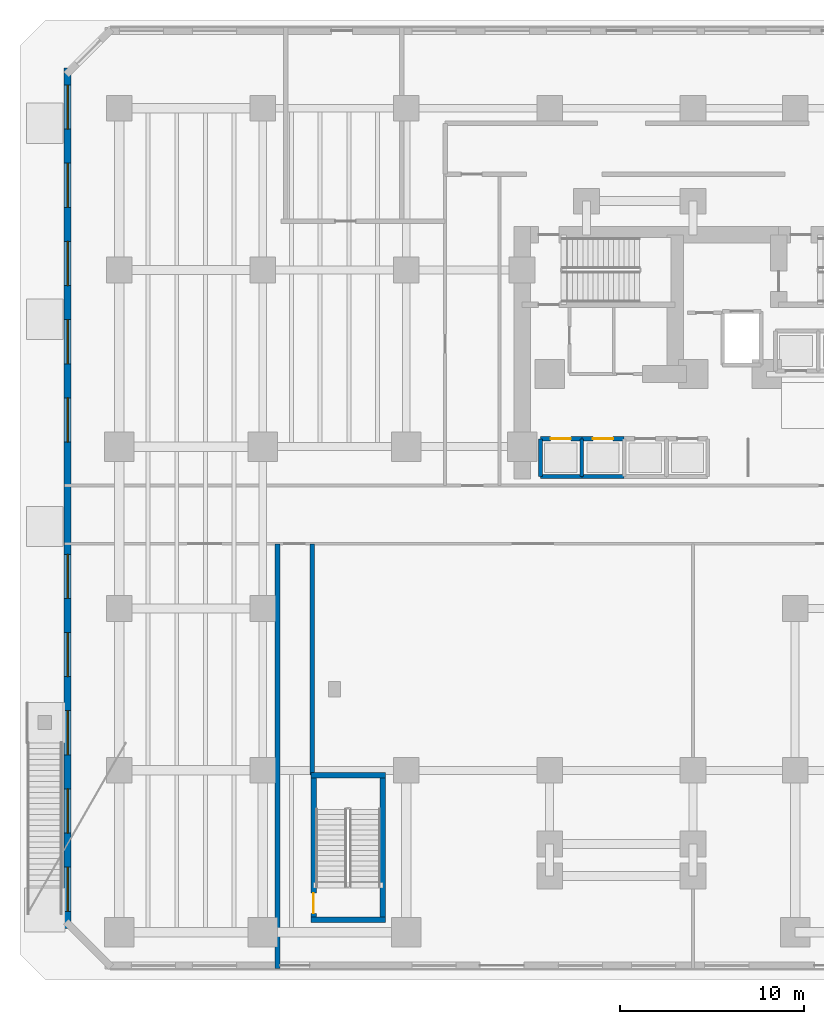
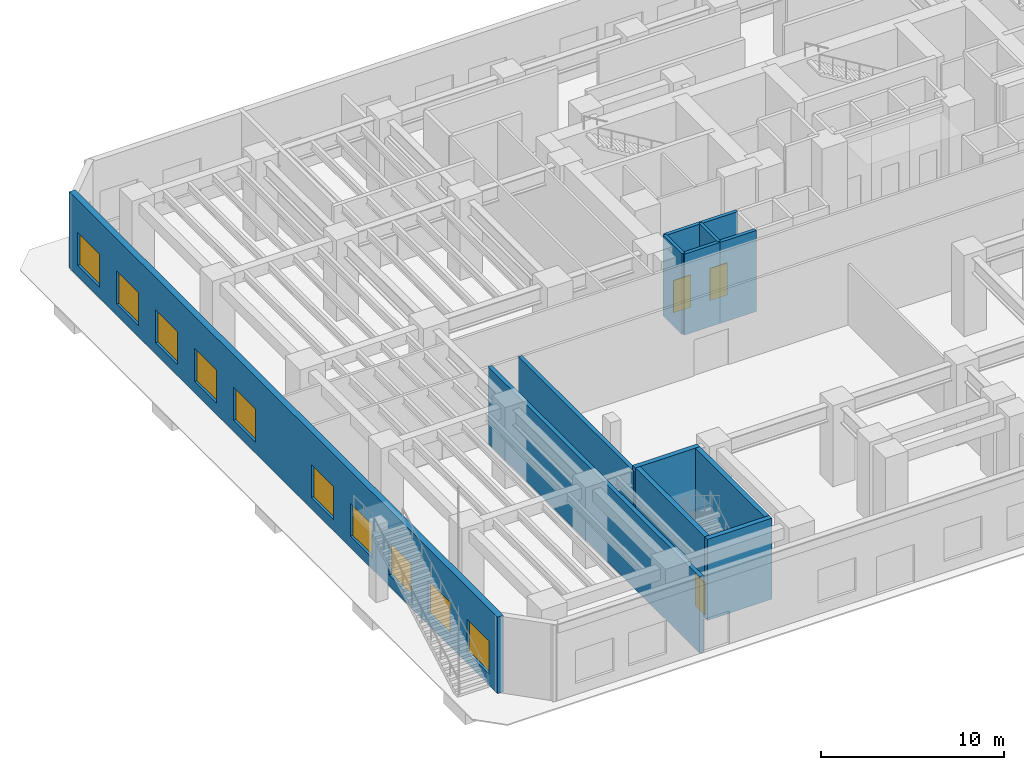
# One storey, part 4 of 17: 13 walls, 10 windows, 3 doors, 13 openings.
"""IFC4 building model written with IfcOpenShell, lengths in metres."""

from ifc_helpers import new_model, si_unit, direction, frame, frame_2d, origin, place, context, subcontext, project, spatial, rectangle, extrude, material, layer, layer_set, type_object, element, fill, save


model = new_model("IFC4")

# Units and contexts
model_context = context("Model", 3, precision=1e-05, world=origin(), true_north=direction((0.0, 1.0)))
body_context = subcontext(model_context, "Body", "Model", "MODEL_VIEW")
ifc_project = project(units=[si_unit("LENGTHUNIT", "METRE"), si_unit("AREAUNIT", "SQUARE_METRE"), si_unit("VOLUMEUNIT", "CUBIC_METRE"), si_unit("PLANEANGLEUNIT", "RADIAN"), si_unit("MASSUNIT", "GRAM", prefix="KILO")], contexts=[model_context])

# Site, building, storey
site_placement = place(None, origin())
site = spatial("IfcSite", under=ifc_project, at=site_placement, CompositionType="ELEMENT")
building_placement = place(site_placement, origin())
building = spatial("IfcBuilding", under=site, at=building_placement, Name="Kestravale Grand Hotel", CompositionType="ELEMENT")
storey_placement = place(building_placement, origin())
storey = spatial("IfcBuildingStorey", under=building, at=storey_placement, Name="L00", CompositionType="ELEMENT", Elevation=0.0)

# Wall, openings, windows
ifc_material_1 = material(Name="Precast concrete f'c 45 MPa", Category="concrete")
ifc_layer_1 = layer(ifc_material_1, 0.3798828125)
ifc_layer_set_1 = layer_set([ifc_layer_1], Name="EW-POD-380")
wall_type_1 = type_object("IfcWallType", Name="EW-POD-380", PredefinedType="SOLIDWALL", material=ifc_layer_set_1)
wall_1_placement = place(storey_placement, frame((-2.81005859375, 2.610107421875, 0.0), z_axis=(0.0, 0.0, 1.0), x_axis=(0.0, 1.0, 0.0)))
wall_1 = element("IfcWall", 1, at=wall_1_placement, inside=storey, type_object=wall_type_1, Name="L00 fluted precast facade wall 7", PredefinedType="SOLIDWALL", context=body_context, shape_type="SweptSolid", body=[
    extrude(rectangle(XDim=46.77978515625, YDim=0.3798828125, at=frame_2d((23.389892578125, 0.0))), origin(), (0.0, 0.0, 1.0), 5.10009765625),
])
opening_1_placement = place(wall_1_placement, frame((0.926513671875, 0.0, 0.75)))
opening_1 = element("IfcOpeningElement", 2, at=opening_1_placement, cuts=wall_1, Name="Opening W-POD-2400", PredefinedType="OPENING", context=body_context, shape_type="SweptSolid", body=[
    extrude(rectangle(XDim=2.39990234375, YDim=2.199951171875, at=frame_2d((1.199951171875, 1.10009765625))), frame((0.0, 0.199951171875, 0.0), z_axis=(0.0, -1.0, 0.0), x_axis=(1.0, 0.0, 0.0)), (0.0, 0.0, 1.0), 0.39990234375),
])
opening_2_placement = place(wall_1_placement, frame((5.17919921875, 0.0, 0.75)))
opening_2 = element("IfcOpeningElement", 3, at=opening_2_placement, cuts=wall_1, Name="Opening W-POD-2400", PredefinedType="OPENING", context=body_context, shape_type="SweptSolid", body=[
    extrude(rectangle(XDim=2.39990234375, YDim=2.199951171875, at=frame_2d((1.199951171875, 1.10009765625))), frame((0.0, 0.199951171875, 0.0), z_axis=(0.0, -1.0, 0.0), x_axis=(1.0, 0.0, 0.0)), (0.0, 0.0, 1.0), 0.39990234375),
])
opening_3_placement = place(wall_1_placement, frame((9.431884765625, 0.0, 0.75)))
opening_3 = element("IfcOpeningElement", 4, at=opening_3_placement, cuts=wall_1, Name="Opening W-POD-2400", PredefinedType="OPENING", context=body_context, shape_type="SweptSolid", body=[
    extrude(rectangle(XDim=2.39990234375, YDim=2.199951171875, at=frame_2d((1.199951171875, 1.10009765625))), frame((0.0, 0.199951171875, 0.0), z_axis=(0.0, -1.0, 0.0), x_axis=(1.0, 0.0, 0.0)), (0.0, 0.0, 1.0), 0.39990234375),
])
opening_4_placement = place(wall_1_placement, frame((13.6845703125, 0.0, 0.75)))
opening_4 = element("IfcOpeningElement", 5, at=opening_4_placement, cuts=wall_1, Name="Opening W-POD-2400", PredefinedType="OPENING", context=body_context, shape_type="SweptSolid", body=[
    extrude(rectangle(XDim=2.39990234375, YDim=2.199951171875, at=frame_2d((1.199951171875, 1.10009765625))), frame((0.0, 0.199951171875, 0.0), z_axis=(0.0, -1.0, 0.0), x_axis=(1.0, 0.0, 0.0)), (0.0, 0.0, 1.0), 0.39990234375),
])
opening_5_placement = place(wall_1_placement, frame((17.937255859375, 0.0, 0.75)))
opening_5 = element("IfcOpeningElement", 6, at=opening_5_placement, cuts=wall_1, Name="Opening W-POD-2400", PredefinedType="OPENING", context=body_context, shape_type="SweptSolid", body=[
    extrude(rectangle(XDim=2.39990234375, YDim=2.199951171875, at=frame_2d((1.199951171875, 1.10009765625))), frame((0.0, 0.199951171875, 0.0), z_axis=(0.0, -1.0, 0.0), x_axis=(1.0, 0.0, 0.0)), (0.0, 0.0, 1.0), 0.39990234375),
])
opening_6_placement = place(wall_1_placement, frame((26.442626953125, 0.0, 0.75)))
opening_6 = element("IfcOpeningElement", 7, at=opening_6_placement, cuts=wall_1, Name="Opening W-POD-2400", PredefinedType="OPENING", context=body_context, shape_type="SweptSolid", body=[
    extrude(rectangle(XDim=2.39990234375, YDim=2.199951171875, at=frame_2d((1.199951171875, 1.10009765625))), frame((0.0, 0.199951171875, 0.0), z_axis=(0.0, -1.0, 0.0), x_axis=(1.0, 0.0, 0.0)), (0.0, 0.0, 1.0), 0.39990234375),
])
opening_7_placement = place(wall_1_placement, frame((30.695556640625, 0.0, 0.75)))
opening_7 = element("IfcOpeningElement", 8, at=opening_7_placement, cuts=wall_1, Name="Opening W-POD-2400", PredefinedType="OPENING", context=body_context, shape_type="SweptSolid", body=[
    extrude(rectangle(XDim=2.39990234375, YDim=2.199951171875, at=frame_2d((1.199951171875, 1.10009765625))), frame((0.0, 0.199951171875, 0.0), z_axis=(0.0, -1.0, 0.0), x_axis=(1.0, 0.0, 0.0)), (0.0, 0.0, 1.0), 0.39990234375),
])
opening_8_placement = place(wall_1_placement, frame((34.9482421875, 0.0, 0.75)))
opening_8 = element("IfcOpeningElement", 9, at=opening_8_placement, cuts=wall_1, Name="Opening W-POD-2400", PredefinedType="OPENING", context=body_context, shape_type="SweptSolid", body=[
    extrude(rectangle(XDim=2.39990234375, YDim=2.199951171875, at=frame_2d((1.199951171875, 1.10009765625))), frame((0.0, 0.199951171875, 0.0), z_axis=(0.0, -1.0, 0.0), x_axis=(1.0, 0.0, 0.0)), (0.0, 0.0, 1.0), 0.39990234375),
])
opening_9_placement = place(wall_1_placement, frame((39.200927734375, 0.0, 0.75)))
opening_9 = element("IfcOpeningElement", 10, at=opening_9_placement, cuts=wall_1, Name="Opening W-POD-2400", PredefinedType="OPENING", context=body_context, shape_type="SweptSolid", body=[
    extrude(rectangle(XDim=2.39990234375, YDim=2.199951171875, at=frame_2d((1.199951171875, 1.10009765625))), frame((0.0, 0.199951171875, 0.0), z_axis=(0.0, -1.0, 0.0), x_axis=(1.0, 0.0, 0.0)), (0.0, 0.0, 1.0), 0.39990234375),
])
opening_10_placement = place(wall_1_placement, frame((43.45361328125, 0.0, 0.75)))
opening_10 = element("IfcOpeningElement", 11, at=opening_10_placement, cuts=wall_1, Name="Opening W-POD-2400", PredefinedType="OPENING", context=body_context, shape_type="SweptSolid", body=[
    extrude(rectangle(XDim=2.39990234375, YDim=2.199951171875, at=frame_2d((1.199951171875, 1.10009765625))), frame((0.0, 0.199951171875, 0.0), z_axis=(0.0, -1.0, 0.0), x_axis=(1.0, 0.0, 0.0)), (0.0, 0.0, 1.0), 0.39990234375),
])
ifc_material_2 = material(Name="Insulated low-E double glazing in aluminium frame", Category="aluminium")
window_type = type_object("IfcWindowType", Name="W-POD-2400", PartitioningType="DOUBLE_PANEL_VERTICAL", PredefinedType="WINDOW", material=ifc_material_2)
window_1_placement = place(opening_1_placement, origin())
window_1 = element("IfcWindow", 12, at=window_1_placement, inside=storey, type_object=window_type, Name="L00 exterior window 7.1", OverallHeight=2.199951171875, OverallWidth=2.39990234375, PartitioningType="SINGLE_PANEL", PredefinedType="WINDOW", context=body_context, shape_type="SweptSolid", body=[
    extrude(rectangle(XDim=2.39990234375, YDim=2.199951171875, at=frame_2d((1.199951171875, 1.10009765625))), frame((0.0, 0.030029296875, 0.0), z_axis=(0.0, -1.0, 0.0), x_axis=(1.0, 0.0, 0.0)), (0.0, 0.0, 1.0), 0.06005859375),
])
fill(opening_1, window_1)
window_2_placement = place(opening_2_placement, origin())
window_2 = element("IfcWindow", 13, at=window_2_placement, inside=storey, type_object=window_type, Name="L00 exterior window 7.2", OverallHeight=2.199951171875, OverallWidth=2.39990234375, PartitioningType="SINGLE_PANEL", PredefinedType="WINDOW", context=body_context, shape_type="SweptSolid", body=[
    extrude(rectangle(XDim=2.39990234375, YDim=2.199951171875, at=frame_2d((1.199951171875, 1.10009765625))), frame((0.0, 0.030029296875, 0.0), z_axis=(0.0, -1.0, 0.0), x_axis=(1.0, 0.0, 0.0)), (0.0, 0.0, 1.0), 0.06005859375),
])
fill(opening_2, window_2)
window_3_placement = place(opening_3_placement, origin())
window_3 = element("IfcWindow", 14, at=window_3_placement, inside=storey, type_object=window_type, Name="L00 exterior window 7.3", OverallHeight=2.199951171875, OverallWidth=2.39990234375, PartitioningType="SINGLE_PANEL", PredefinedType="WINDOW", context=body_context, shape_type="SweptSolid", body=[
    extrude(rectangle(XDim=2.39990234375, YDim=2.199951171875, at=frame_2d((1.199951171875, 1.10009765625))), frame((0.0, 0.030029296875, 0.0), z_axis=(0.0, -1.0, 0.0), x_axis=(1.0, 0.0, 0.0)), (0.0, 0.0, 1.0), 0.06005859375),
])
fill(opening_3, window_3)
window_4_placement = place(opening_4_placement, origin())
window_4 = element("IfcWindow", 15, at=window_4_placement, inside=storey, type_object=window_type, Name="L00 exterior window 7.4", OverallHeight=2.199951171875, OverallWidth=2.39990234375, PartitioningType="SINGLE_PANEL", PredefinedType="WINDOW", context=body_context, shape_type="SweptSolid", body=[
    extrude(rectangle(XDim=2.39990234375, YDim=2.199951171875, at=frame_2d((1.199951171875, 1.10009765625))), frame((0.0, 0.030029296875, 0.0), z_axis=(0.0, -1.0, 0.0), x_axis=(1.0, 0.0, 0.0)), (0.0, 0.0, 1.0), 0.06005859375),
])
fill(opening_4, window_4)
window_5_placement = place(opening_5_placement, origin())
window_5 = element("IfcWindow", 16, at=window_5_placement, inside=storey, type_object=window_type, Name="L00 exterior window 7.5", OverallHeight=2.199951171875, OverallWidth=2.39990234375, PartitioningType="SINGLE_PANEL", PredefinedType="WINDOW", context=body_context, shape_type="SweptSolid", body=[
    extrude(rectangle(XDim=2.39990234375, YDim=2.199951171875, at=frame_2d((1.199951171875, 1.10009765625))), frame((0.0, 0.030029296875, 0.0), z_axis=(0.0, -1.0, 0.0), x_axis=(1.0, 0.0, 0.0)), (0.0, 0.0, 1.0), 0.06005859375),
])
fill(opening_5, window_5)
window_6_placement = place(opening_6_placement, origin())
window_6 = element("IfcWindow", 17, at=window_6_placement, inside=storey, type_object=window_type, Name="L00 exterior window 7.6", OverallHeight=2.199951171875, OverallWidth=2.39990234375, PartitioningType="SINGLE_PANEL", PredefinedType="WINDOW", context=body_context, shape_type="SweptSolid", body=[
    extrude(rectangle(XDim=2.39990234375, YDim=2.199951171875, at=frame_2d((1.199951171875, 1.10009765625))), frame((0.0, 0.030029296875, 0.0), z_axis=(0.0, -1.0, 0.0), x_axis=(1.0, 0.0, 0.0)), (0.0, 0.0, 1.0), 0.06005859375),
])
fill(opening_6, window_6)
window_7_placement = place(opening_7_placement, origin())
window_7 = element("IfcWindow", 18, at=window_7_placement, inside=storey, type_object=window_type, Name="L00 exterior window 7.7", OverallHeight=2.199951171875, OverallWidth=2.39990234375, PartitioningType="SINGLE_PANEL", PredefinedType="WINDOW", context=body_context, shape_type="SweptSolid", body=[
    extrude(rectangle(XDim=2.39990234375, YDim=2.199951171875, at=frame_2d((1.199951171875, 1.10009765625))), frame((0.0, 0.030029296875, 0.0), z_axis=(0.0, -1.0, 0.0), x_axis=(1.0, 0.0, 0.0)), (0.0, 0.0, 1.0), 0.06005859375),
])
fill(opening_7, window_7)
window_8_placement = place(opening_8_placement, origin())
window_8 = element("IfcWindow", 19, at=window_8_placement, inside=storey, type_object=window_type, Name="L00 exterior window 7.8", OverallHeight=2.199951171875, OverallWidth=2.39990234375, PartitioningType="SINGLE_PANEL", PredefinedType="WINDOW", context=body_context, shape_type="SweptSolid", body=[
    extrude(rectangle(XDim=2.39990234375, YDim=2.199951171875, at=frame_2d((1.199951171875, 1.10009765625))), frame((0.0, 0.030029296875, 0.0), z_axis=(0.0, -1.0, 0.0), x_axis=(1.0, 0.0, 0.0)), (0.0, 0.0, 1.0), 0.06005859375),
])
fill(opening_8, window_8)
window_9_placement = place(opening_9_placement, origin())
window_9 = element("IfcWindow", 20, at=window_9_placement, inside=storey, type_object=window_type, Name="L00 exterior window 7.9", OverallHeight=2.199951171875, OverallWidth=2.39990234375, PartitioningType="SINGLE_PANEL", PredefinedType="WINDOW", context=body_context, shape_type="SweptSolid", body=[
    extrude(rectangle(XDim=2.39990234375, YDim=2.199951171875, at=frame_2d((1.199951171875, 1.10009765625))), frame((0.0, 0.030029296875, 0.0), z_axis=(0.0, -1.0, 0.0), x_axis=(1.0, 0.0, 0.0)), (0.0, 0.0, 1.0), 0.06005859375),
])
fill(opening_9, window_9)
window_10_placement = place(opening_10_placement, origin())
window_10 = element("IfcWindow", 21, at=window_10_placement, inside=storey, type_object=window_type, Name="L00 exterior window 7.10", OverallHeight=2.199951171875, OverallWidth=2.39990234375, PartitioningType="SINGLE_PANEL", PredefinedType="WINDOW", context=body_context, shape_type="SweptSolid", body=[
    extrude(rectangle(XDim=2.39990234375, YDim=2.199951171875, at=frame_2d((1.199951171875, 1.10009765625))), frame((0.0, 0.030029296875, 0.0), z_axis=(0.0, -1.0, 0.0), x_axis=(1.0, 0.0, 0.0)), (0.0, 0.0, 1.0), 0.06005859375),
])
fill(opening_10, window_10)

# Wall, opening, door
ifc_material_3 = material(Name="Concrete f'c 45 MPa", Category="concrete")
ifc_layer_2 = layer(ifc_material_3, 0.300048828125)
ifc_layer_set_2 = layer_set([ifc_layer_2], Name="EW-STAIR-300")
wall_type_2 = type_object("IfcWallType", Name="EW-STAIR-300", PredefinedType="SHEAR", material=ifc_layer_set_2)
wall_2_placement = place(storey_placement, frame((10.56005859375, 3.070068359375, 0.0), z_axis=(0.0, 0.0, 1.0), x_axis=(0.0, 1.0, 0.0)))
wall_2 = element("IfcWall", 22, at=wall_2_placement, inside=storey, type_object=wall_type_2, Name="L00 stair enclosure shear wall ST4W", PredefinedType="SHEAR", context=body_context, shape_type="SweptSolid", body=[
    extrude(rectangle(XDim=7.85986328125, YDim=0.300048828125, at=frame_2d((3.929931640625, 0.0))), origin(), (0.0, 0.0, 1.0), 5.39990234375),
])
opening_11_placement = place(wall_2_placement, frame((0.35009765625, 0.0, 0.0)))
opening_11 = element("IfcOpeningElement", 23, at=opening_11_placement, cuts=wall_2, Name="Opening D-ST-1100", PredefinedType="OPENING", context=body_context, shape_type="SweptSolid", body=[
    extrude(rectangle(XDim=1.10009765625, YDim=2.14990234375, at=frame_2d((0.550048828125, 1.074951171875))), frame((0.0, 0.159912109375, 0.0), z_axis=(0.0, -1.0, 0.0), x_axis=(1.0, 0.0, 0.0)), (0.0, 0.0, 1.0), 0.320068359375),
])
ifc_material_4 = material(Name="Galvanised 90-minute fire-rated steel stair door", Category="steel")
door_type_1 = type_object("IfcDoorType", Name="D-ST-1100", OperationType="NOTDEFINED", PredefinedType="DOOR", material=ifc_material_4)
door_1_placement = place(opening_11_placement, origin())
door_1 = element("IfcDoor", 24, at=door_1_placement, inside=storey, type_object=door_type_1, Name="L00 Stair ST-4 fire door", OperationType="SINGLE_SWING_LEFT", OverallHeight=2.14990234375, OverallWidth=1.10009765625, PredefinedType="DOOR", context=body_context, shape_type="SweptSolid", body=[
    extrude(rectangle(XDim=1.10009765625, YDim=2.14990234375, at=frame_2d((0.550048828125, 1.074951171875))), frame((0.0, 0.02490234375, 0.0), z_axis=(0.0, -1.0, 0.0), x_axis=(1.0, 0.0, 0.0)), (0.0, 0.0, 1.0), 0.050048828125),
])
fill(opening_11, door_1)

# Walls
wall_3_placement = place(storey_placement, frame((14.330078125, 3.070068359375, 0.0), z_axis=(0.0, 0.0, 1.0), x_axis=(0.0, 1.0, 0.0)))
element("IfcWall", 25, at=wall_3_placement, inside=storey, type_object=wall_type_2, Name="L00 stair enclosure shear wall ST4E", PredefinedType="SHEAR", context=body_context, shape_type="SweptSolid", body=[
    extrude(rectangle(XDim=7.85986328125, YDim=0.300048828125, at=frame_2d((3.929931640625, 0.0))), origin(), (0.0, 0.0, 1.0), 5.39990234375),
])
for number, where, z_axis, x_axis, name in (
    (26, (10.409912109375, 10.929931640625, 0.0), (0.0, 0.0, 1.0), (1.0, 0.0, 0.0), "L00 stair enclosure shear wall ST4N"),
    (27, (10.409912109375, 3.070068359375, 0.0), (0.0, 0.0, 1.0), (1.0, 0.0, 0.0), "L00 stair enclosure shear wall ST4S"),
):
    element("IfcWall", number, at=place(storey_placement, frame(where, z_axis=z_axis, x_axis=x_axis)), inside=storey, type_object=wall_type_2, Name=name, PredefinedType="SHEAR", context=body_context, shape_type="SweptSolid", body=[
        extrude(rectangle(XDim=4.070068359375, YDim=0.300048828125, at=frame_2d((2.03515625, 0.0))), origin(), (0.0, 0.0, 1.0), 5.39990234375),
    ])
ifc_material_5 = material(Name="Concrete f'c 45 MPa", Category="concrete")
ifc_layer_3 = layer(ifc_material_5, 0.199951171875)
ifc_layer_set_3 = layer_set([ifc_layer_3], Name="IW-SHAFT-200")
wall_type_3 = type_object("IfcWallType", Name="IW-SHAFT-200", PredefinedType="SHEAR", material=ifc_layer_set_3)
for number, where, z_axis, x_axis, name in (
    (28, (22.905029296875, 27.169921875, 0.0), (0.0, 0.0, 1.0), (0.0, 1.0, 0.0), "L00 PL-L1 west shaft wall"),
    (29, (25.14990234375, 27.169921875, 0.0), (0.0, 0.0, 1.0), (0.0, 1.0, 0.0), "L00 PL-L2 west shaft wall"),
):
    element("IfcWall", number, at=place(storey_placement, frame(where, z_axis=z_axis, x_axis=x_axis)), inside=storey, type_object=wall_type_3, Name=name, PredefinedType="SHEAR", context=body_context, shape_type="SweptSolid", body=[
        extrude(rectangle(XDim=2.06005859375, YDim=0.199951171875, at=frame_2d((1.030029296875, 0.0))), origin(), (0.0, 0.0, 1.0), 5.39990234375),
    ])

# Wall, opening, door
ifc_material_6 = material(Name="Concrete f'c 45 MPa", Category="concrete")
ifc_layer_4 = layer(ifc_material_6, 0.219970703125)
ifc_layer_set_4 = layer_set([ifc_layer_4], Name="IW-SHAFT-220")
wall_type_4 = type_object("IfcWallType", Name="IW-SHAFT-220", PredefinedType="SHEAR", material=ifc_layer_set_4)
wall_4_placement = place(storey_placement, frame((22.905029296875, 29.22998046875, 0.0), z_axis=(0.0, 0.0, 1.0), x_axis=(1.0, 0.0, 0.0)))
wall_4 = element("IfcWall", 30, at=wall_4_placement, inside=storey, type_object=wall_type_4, Name="L00 PL-L1 north shaft wall", PredefinedType="SHEAR", context=body_context, shape_type="SweptSolid", body=[
    extrude(rectangle(XDim=2.244873046875, YDim=0.219970703125, at=frame_2d((1.12255859375, 0.0))), origin(), (0.0, 0.0, 1.0), 5.39990234375),
])
opening_12_placement = place(wall_4_placement, frame((0.544921875, 0.0, 0.0)))
opening_12 = element("IfcOpeningElement", 31, at=opening_12_placement, cuts=wall_4, Name="Opening LD-PAX-1100", PredefinedType="OPENING", context=body_context, shape_type="SweptSolid", body=[
    extrude(rectangle(XDim=1.10009765625, YDim=2.14990234375, at=frame_2d((0.550048828125, 1.074951171875))), frame((0.0, 0.119873046875, 0.0), z_axis=(0.0, -1.0, 0.0), x_axis=(1.0, 0.0, 0.0)), (0.0, 0.0, 1.0), 0.239990234375),
])
ifc_material_7 = material(Name="Champagne-bronze center-opening sliding elevator landing door", Category="steel")
door_type_2 = type_object("IfcDoorType", Name="LD-PAX-1100", OperationType="NOTDEFINED", PredefinedType="DOOR", material=ifc_material_7)
door_2_placement = place(opening_12_placement, origin())
door_2 = element("IfcDoor", 32, at=door_2_placement, inside=storey, type_object=door_type_2, Name="L00 PL-L1 elevator landing sliding door", OperationType="DOUBLE_DOOR_SLIDING", OverallHeight=2.14990234375, OverallWidth=1.10009765625, PredefinedType="DOOR", context=body_context, shape_type="SweptSolid", body=[
    extrude(rectangle(XDim=1.10009765625, YDim=2.14990234375, at=frame_2d((0.550048828125, 1.074951171875))), frame((0.0, 0.02490234375, 0.0), z_axis=(0.0, -1.0, 0.0), x_axis=(1.0, 0.0, 0.0)), (0.0, 0.0, 1.0), 0.050048828125),
])
fill(opening_12, door_2)

# Wall
wall_5_placement = place(storey_placement, frame((22.905029296875, 27.169921875, 0.0), z_axis=(0.0, 0.0, 1.0), x_axis=(1.0, 0.0, 0.0)))
element("IfcWall", 33, at=wall_5_placement, inside=storey, type_object=wall_type_4, Name="L00 PL-L1 south shaft wall", PredefinedType="SHEAR", context=body_context, shape_type="SweptSolid", body=[
    extrude(rectangle(XDim=2.244873046875, YDim=0.219970703125, at=frame_2d((1.12255859375, 0.0))), origin(), (0.0, 0.0, 1.0), 5.39990234375),
])

# Wall, opening, door
wall_6_placement = place(storey_placement, frame((25.14990234375, 29.22998046875, 0.0), z_axis=(0.0, 0.0, 1.0), x_axis=(1.0, 0.0, 0.0)))
wall_6 = element("IfcWall", 34, at=wall_6_placement, inside=storey, type_object=wall_type_4, Name="L00 PL-L2 north shaft wall", PredefinedType="SHEAR", context=body_context, shape_type="SweptSolid", body=[
    extrude(rectangle(XDim=2.300048828125, YDim=0.219970703125, at=frame_2d((1.14990234375, 0.0))), origin(), (0.0, 0.0, 1.0), 5.39990234375),
])
opening_13_placement = place(wall_6_placement, frame((0.60009765625, 0.0, 0.0)))
opening_13 = element("IfcOpeningElement", 35, at=opening_13_placement, cuts=wall_6, Name="Opening LD-PAX-1100", PredefinedType="OPENING", context=body_context, shape_type="SweptSolid", body=[
    extrude(rectangle(XDim=1.10009765625, YDim=2.14990234375, at=frame_2d((0.550048828125, 1.074951171875))), frame((0.0, 0.119873046875, 0.0), z_axis=(0.0, -1.0, 0.0), x_axis=(1.0, 0.0, 0.0)), (0.0, 0.0, 1.0), 0.239990234375),
])
door_3_placement = place(opening_13_placement, origin())
door_3 = element("IfcDoor", 36, at=door_3_placement, inside=storey, type_object=door_type_2, Name="L00 PL-L2 elevator landing sliding door", OperationType="DOUBLE_DOOR_SLIDING", OverallHeight=2.14990234375, OverallWidth=1.10009765625, PredefinedType="DOOR", context=body_context, shape_type="SweptSolid", body=[
    extrude(rectangle(XDim=1.10009765625, YDim=2.14990234375, at=frame_2d((0.550048828125, 1.074951171875))), frame((0.0, 0.02490234375, 0.0), z_axis=(0.0, -1.0, 0.0), x_axis=(1.0, 0.0, 0.0)), (0.0, 0.0, 1.0), 0.050048828125),
])
fill(opening_13, door_3)

# Walls
wall_7_placement = place(storey_placement, frame((25.14990234375, 27.169921875, 0.0), z_axis=(0.0, 0.0, 1.0), x_axis=(1.0, 0.0, 0.0)))
element("IfcWall", 37, at=wall_7_placement, inside=storey, type_object=wall_type_4, Name="L00 PL-L2 south shaft wall", PredefinedType="SHEAR", context=body_context, shape_type="SweptSolid", body=[
    extrude(rectangle(XDim=2.300048828125, YDim=0.219970703125, at=frame_2d((1.14990234375, 0.0))), origin(), (0.0, 0.0, 1.0), 5.39990234375),
])
ifc_material_8 = material(Name="Concrete f'c 45 MPa", Category="concrete")
ifc_layer_5 = layer(ifc_material_8, 0.25)
ifc_layer_set_5 = layer_set([ifc_layer_5], Name="IW-STAIR-250")
wall_type_5 = type_object("IfcWallType", Name="IW-STAIR-250", PredefinedType="SOLIDWALL", material=ifc_layer_set_5)
wall_8_placement = place(storey_placement, frame((8.60009765625, 0.419921875, 0.0), z_axis=(0.0, 0.0, 1.0), x_axis=(0.0, 1.0, 0.0)))
element("IfcWall", 38, at=wall_8_placement, inside=storey, type_object=wall_type_5, Name="W-L00-EPSE-W", PredefinedType="SOLIDWALL", context=body_context, shape_type="SweptSolid", body=[
    extrude(rectangle(XDim=23.10009765625, YDim=0.25, at=frame_2d((11.550048828125, 0.0))), origin(), (0.0, 0.0, 1.0), 5.10009765625),
])
wall_9_placement = place(storey_placement, frame((10.5, 10.949951171875, 0.0), z_axis=(0.0, 0.0, 1.0), x_axis=(0.0, 1.0, 0.0)))
element("IfcWall", 39, at=wall_9_placement, inside=storey, type_object=wall_type_5, Name="W-L00-EPSE-E", PredefinedType="SOLIDWALL", context=body_context, shape_type="SweptSolid", body=[
    extrude(rectangle(XDim=12.570068359375, YDim=0.25, at=frame_2d((6.28515625, 0.0))), origin(), (0.0, 0.0, 1.0), 5.10009765625),
])

save(model, "model.ifc")
